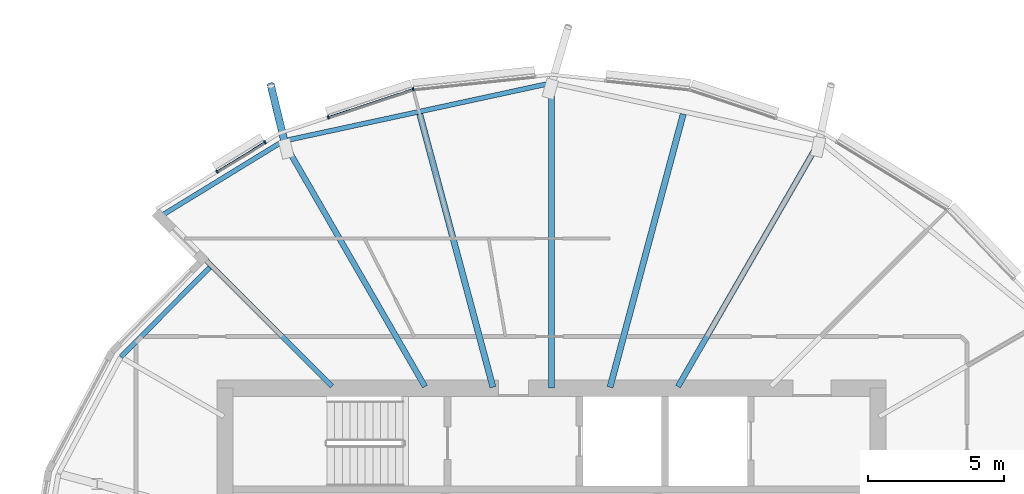
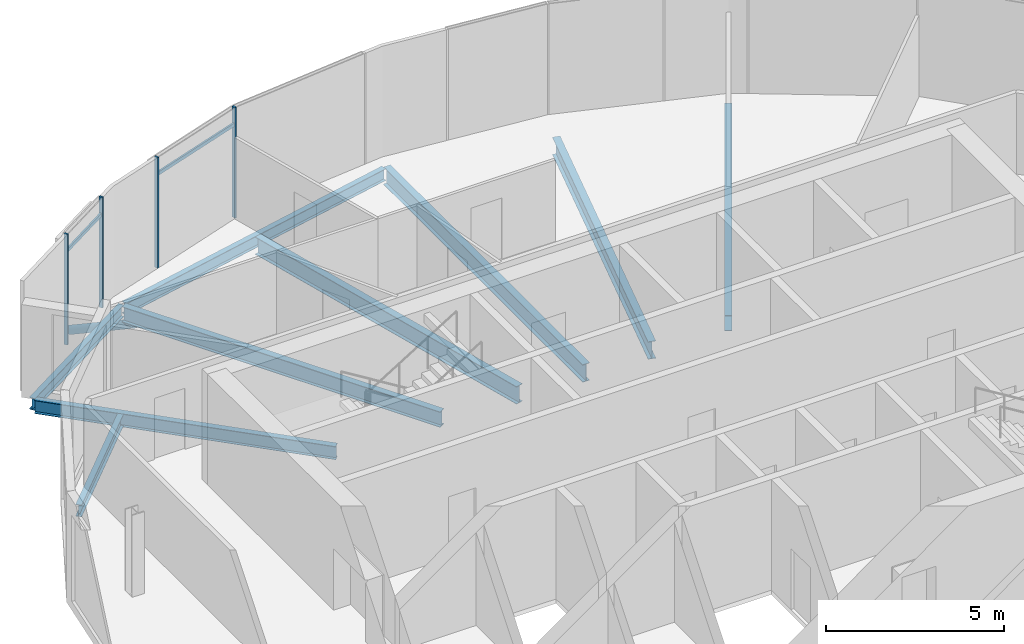
# One storey, part 10 of 38: 9 beams, 7 members, 1 element without a shape of its own.
"""IFC4 building model written with IfcOpenShell, lengths in metres."""

from ifc_helpers import new_model, si_unit, direction, frame, origin, origin_2d, place, context, subcontext, project, spatial, rectangle, hollow_circle, i_section, extrude, clip, halfspace, material, material_profile, profile_set, type_object, element, aggregate, save


model = new_model("IFC4")

# Units and contexts
model_context = context("Model", 3, precision=1e-05, world=origin(), true_north=direction((0.0, 1.0)))
body_context = subcontext(model_context, "Body", "Model", "MODEL_VIEW")
ifc_project = project(units=[si_unit("LENGTHUNIT", "METRE"), si_unit("AREAUNIT", "SQUARE_METRE"), si_unit("VOLUMEUNIT", "CUBIC_METRE"), si_unit("PLANEANGLEUNIT", "RADIAN"), si_unit("MASSUNIT", "GRAM", prefix="KILO")], contexts=[model_context])

# Site, building, storey
site_placement = place(None, origin())
site = spatial("IfcSite", under=ifc_project, at=site_placement, CompositionType="ELEMENT")
building_placement = place(site_placement, origin())
building = spatial("IfcBuilding", under=site, at=building_placement, Name="Rimbun Link Towers", CompositionType="ELEMENT")
storey_placement = place(building_placement, frame((0.0, 0.0, 185.5)))
storey = spatial("IfcBuildingStorey", under=building, at=storey_placement, Name="L45", CompositionType="ELEMENT", Elevation=185.5)

# Curtain wall, members
ifc_material_1 = material(Name="Aluminium 6063-T6 and low-iron glass", Category="aluminium")
curtain_wall_type = type_object("IfcCurtainWallType", Name="CW1-Z3 unitised vision wall (zone 3)", PredefinedType="NOTDEFINED", material=ifc_material_1)
curtain_wall_placement = place(storey_placement, origin())
curtain_wall = element("IfcCurtainWall", 1, at=curtain_wall_placement, inside=storey, type_object=curtain_wall_type, Name="CW1 L45 T1", PredefinedType="NOTDEFINED")
ifc_material_2 = material(Name="Aluminium 6063-T6", Category="aluminium")
ifc_material_profile_1 = material_profile(ifc_material_2, rectangle(XDim=0.1201171875, YDim=0.06005859375, at=origin_2d()), Name="MULLION 60X120")
ifc_profile_set_1 = profile_set([ifc_material_profile_1], Name="Aluminium 6063-T6")
member_type_1 = type_object("IfcMemberType", Name="CW1 mullion 60X120", PredefinedType="MULLION", material=ifc_profile_set_1)
member_1_placement = place(storey_placement, frame((-36.835205078125, 18.989501953125, 0.0), z_axis=(0.0, 0.0, 1.0), x_axis=(-0.210876961602, 0.977512612228, 0.0)))
member_1 = element("IfcMember", 2, at=member_1_placement, type_object=member_type_1, Name="CW1 mullion", PredefinedType="MULLION", context=body_context, shape_type="SweptSolid", body=[
    extrude(rectangle(XDim=0.1201171875, YDim=0.06005859375, at=origin_2d()), origin(), (0.0, 0.0, 1.0), 3.800048828125),
])
member_2_placement = place(storey_placement, frame((-39.954345703125, 17.956298828125, 0.0), z_axis=(0.0, 0.0, 1.0), x_axis=(-0.314564968894, 0.949235945561, 0.0)))
member_2 = element("IfcMember", 3, at=member_2_placement, type_object=member_type_1, Name="CW1 mullion", PredefinedType="MULLION", context=body_context, shape_type="SweptSolid", body=[
    extrude(rectangle(XDim=0.1201171875, YDim=0.06005859375, at=origin_2d()), origin(), (0.0, 0.0, 1.0), 3.800048828125),
])
member_3_placement = place(storey_placement, frame((-44.04296875, 15.95751953125, 0.0), z_axis=(0.0, 0.0, 1.0), x_axis=(-0.523234516531, 0.852188735381, 0.0)))
member_3 = element("IfcMember", 4, at=member_3_placement, type_object=member_type_1, Name="CW1 mullion", PredefinedType="MULLION", context=body_context, shape_type="SweptSolid", body=[
    extrude(rectangle(XDim=0.1201171875, YDim=0.06005859375, at=origin_2d()), origin(), (0.0, 0.0, 1.0), 3.800048828125),
])
member_4_placement = place(storey_placement, frame((-42.28173828125, 17.038818359375, 0.0), z_axis=(0.0, 0.0, 1.0), x_axis=(-0.523234516531, 0.852188735381, 0.0)))
member_4 = element("IfcMember", 5, at=member_4_placement, type_object=member_type_1, Name="CW1 mullion", PredefinedType="MULLION", context=body_context, shape_type="SweptSolid", body=[
    extrude(rectangle(XDim=0.1201171875, YDim=0.06005859375, at=origin_2d()), origin(), (0.0, 0.0, 1.0), 3.800048828125),
])
ifc_material_3 = material(Name="Aluminium 6063-T6", Category="aluminium")
ifc_material_profile_2 = material_profile(ifc_material_3, rectangle(XDim=0.06005859375, YDim=0.1201171875, at=origin_2d()), Name="TRANSOM 60X120")
ifc_profile_set_2 = profile_set([ifc_material_profile_2], Name="Aluminium 6063-T6")
member_type_2 = type_object("IfcMemberType", Name="CW1 transom 60X120", PredefinedType="USERDEFINED", material=ifc_profile_set_2)
member_5_placement = place(storey_placement, frame((-39.92529296875, 17.9638671875, 3.199951171875), z_axis=(0.94924294821, 0.314543836809, 0.0), x_axis=(-0.314543836809, 0.94924294821, 0.0)))
member_5 = element("IfcMember", 6, at=member_5_placement, type_object=member_type_2, Name="CW1 transom", ObjectType="TRANSOM", PredefinedType="USERDEFINED", context=body_context, shape_type="SweptSolid", body=[
    extrude(rectangle(XDim=0.06005859375, YDim=0.1201171875, at=origin_2d()), origin(), (0.0, 0.0, 1.0), 3.219482421875),
])
member_6_placement = place(storey_placement, frame((-44.016357421875, 15.971435546875, 3.199951171875), z_axis=(0.852155044755, 0.523289384279, 0.0), x_axis=(-0.523289384279, 0.852155044755, 0.0)))
member_6 = element("IfcMember", 7, at=member_6_placement, type_object=member_type_2, Name="CW1 transom", ObjectType="TRANSOM", PredefinedType="USERDEFINED", context=body_context, shape_type="SweptSolid", body=[
    extrude(rectangle(XDim=0.06005859375, YDim=0.1201171875, at=origin_2d()), origin(), (0.0, 0.0, 1.0), 2.006591796875),
])
aggregate(curtain_wall, [member_1, member_2, member_3, member_4, member_5, member_6])

# Member
ifc_material_4 = material(Name="Steel S355J2H", Category="steel")
ifc_material_profile_3 = material_profile(ifc_material_4, hollow_circle(Radius=0.136474609375, WallThickness=0.012451171875, at=origin_2d()), Name="CHS 273x12.5")
ifc_profile_set_3 = profile_set([ifc_material_profile_3], Name="Steel S355J2H")
member_type_3 = type_object("IfcMemberType", Name="Floor edge link CHS 273x12.5", PredefinedType="BRACE", material=ifc_profile_set_3)
member_7_placement = place(storey_placement, frame((-41.54150390625, 16.959228515625, -0.80029296875), z_axis=(-0.202029237564, 0.837071370939, -0.508424731031), x_axis=(-0.97208816082, -0.234615872426, 0.0)))
element("IfcMember", 8, at=member_7_placement, inside=storey, type_object=member_type_3, Name="Floor edge link T1 L45 08", PredefinedType="BRACE", context=body_context, shape_type="Clipping", body=[
    clip(extrude(hollow_circle(Radius=0.136474609375, WallThickness=0.012451171875, at=origin_2d()), frame((0.0, 0.0, -0.48193359375)), (0.0, 0.0, 1.0), 3.104248046875), halfspace(frame((0.0, 0.0, -0.2265625), z_axis=(0.0, 0.861106435277, -0.508424731031)), False)),
])

# Beams
ifc_material_5 = material(Name="Steel S355J2", Category="steel")
ifc_material_profile_4 = material_profile(ifc_material_5, i_section(OverallWidth=0.177978515625, OverallDepth=0.406494140625, WebThickness=0.0078125, FlangeThickness=0.0126953125, at=origin_2d()), Name="UB 406x178x60")
ifc_profile_set_4 = profile_set([ifc_material_profile_4], Name="Steel S355J2")
beam_type_1 = type_object("IfcBeamType", Name="UB 406x178x60", PredefinedType="BEAM", material=ifc_profile_set_4)
beam_1_placement = place(storey_placement, frame((-31.86474609375, 19.18896484375, -0.353271484375), z_axis=(-0.977392598687, -0.211432514129, 0.0), x_axis=(0.211432514129, -0.977392598687, 0.0)))
element("IfcBeam", 9, at=beam_1_placement, inside=storey, type_object=beam_type_1, Name="Edge beam T1 L45 06-08", PredefinedType="BEAM", context=body_context, shape_type="SweptSolid", body=[
    extrude(i_section(OverallWidth=0.177978515625, OverallDepth=0.406494140625, WebThickness=0.0078125, FlangeThickness=0.0126953125, at=origin_2d()), origin(), (0.0, 0.0, 1.0), 9.861083984375),
])
beam_2_placement = place(storey_placement, frame((-41.6123046875, 17.080078125, -0.353271484375), z_axis=(-0.852702866932, -0.522396229624, 0.0), x_axis=(0.522396229624, -0.852702866932, 0.0)))
element("IfcBeam", 10, at=beam_2_placement, inside=storey, type_object=beam_type_1, Name="Edge beam T1 L45 08", PredefinedType="BEAM", context=body_context, shape_type="SweptSolid", body=[
    extrude(i_section(OverallWidth=0.177978515625, OverallDepth=0.406494140625, WebThickness=0.0078125, FlangeThickness=0.0126953125, at=origin_2d()), origin(), (0.0, 0.0, 1.0), 5.247802734375),
])
beam_3_placement = place(storey_placement, frame((-44.316650390625, 12.430419921875, -0.353271484375), z_axis=(-0.704407222638, -0.709796072612, 0.0), x_axis=(0.709796072612, -0.704407222638, 0.0)))
element("IfcBeam", 11, at=beam_3_placement, inside=storey, type_object=beam_type_1, Name="Edge beam T1 L45 09 recess", PredefinedType="BEAM", context=body_context, shape_type="SweptSolid", body=[
    extrude(i_section(OverallWidth=0.177978515625, OverallDepth=0.406494140625, WebThickness=0.0078125, FlangeThickness=0.0126953125, at=origin_2d()), origin(), (0.0, 0.0, 1.0), 4.62109375),
])
ifc_material_6 = material(Name="Steel S355J2", Category="steel")
ifc_material_profile_5 = material_profile(ifc_material_6, i_section(OverallWidth=0.18994140625, OverallDepth=0.453369140625, WebThickness=0.008544921875, FlangeThickness=0.0126953125, at=origin_2d()), Name="UB 457x191x67")
ifc_profile_set_5 = profile_set([ifc_material_profile_5], Name="Steel S355J2")
beam_type_2 = type_object("IfcBeamType", Name="UB 457x191x67", PredefinedType="BEAM", material=ifc_profile_set_5)
beam_4_placement = place(storey_placement, frame((-39.81787109375, 8.06787109375, -0.376708984375), z_axis=(-0.707106781187, 0.707106781187, 0.0), x_axis=(-0.707106781187, -0.707106781187, 0.0)))
element("IfcBeam", 12, at=beam_4_placement, inside=storey, type_object=beam_type_2, Name="Radial beam T1 L45 09", PredefinedType="BEAM", context=body_context, shape_type="SweptSolid", body=[
    extrude(i_section(OverallWidth=0.18994140625, OverallDepth=0.453369140625, WebThickness=0.008544921875, FlangeThickness=0.0126953125, at=origin_2d()), origin(), (0.0, 0.0, 1.0), 8.77490234375),
])
ifc_material_7 = material(Name="Steel S355J2", Category="steel")
ifc_material_profile_6 = material_profile(ifc_material_7, i_section(OverallWidth=0.209228515625, OverallDepth=0.533203125, WebThickness=0.010009765625, FlangeThickness=0.015625, at=origin_2d()), Name="UB 533x210x92")
ifc_profile_set_6 = profile_set([ifc_material_profile_6], Name="Steel S355J2")
beam_type_3 = type_object("IfcBeamType", Name="UB 533x210x92", PredefinedType="BEAM", material=ifc_profile_set_6)
beam_5_placement = place(storey_placement, frame((-27.1005859375, 8.05322265625, -0.41650390625), z_axis=(0.499998180979, 0.866026453994, 0.0), x_axis=(-0.866026453994, 0.499998180979, 0.0)))
element("IfcBeam", 13, at=beam_5_placement, inside=storey, type_object=beam_type_3, Name="Radial beam T1 L45 04", PredefinedType="BEAM", context=body_context, shape_type="SweptSolid", body=[
    extrude(i_section(OverallWidth=0.209228515625, OverallDepth=0.533203125, WebThickness=0.010009765625, FlangeThickness=0.015625, at=origin_2d()), origin(), (0.0, 0.0, 1.0), 10.423828125),
])
beam_6_placement = place(storey_placement, frame((-36.3994140625, 8.05322265625, -0.41650390625), z_axis=(-0.500001261266, 0.866024675591, 0.0), x_axis=(-0.866024675591, -0.500001261266, 0.0)))
element("IfcBeam", 14, at=beam_6_placement, inside=storey, type_object=beam_type_3, Name="Radial beam T1 L45 08", PredefinedType="BEAM", context=body_context, shape_type="SweptSolid", body=[
    extrude(i_section(OverallWidth=0.209228515625, OverallDepth=0.533203125, WebThickness=0.010009765625, FlangeThickness=0.015625, at=origin_2d()), origin(), (0.0, 0.0, 1.0), 10.333984375),
])
ifc_material_8 = material(Name="Steel S355J2", Category="steel")
ifc_material_profile_7 = material_profile(ifc_material_8, i_section(OverallWidth=0.2275390625, OverallDepth=0.6025390625, WebThickness=0.010498046875, FlangeThickness=0.014892578125, at=origin_2d()), Name="UB 610x229x101")
ifc_profile_set_7 = profile_set([ifc_material_profile_7], Name="Steel S355J2")
beam_type_4 = type_object("IfcBeamType", Name="UB 610x229x101", PredefinedType="BEAM", material=ifc_profile_set_7)
beam_7_placement = place(storey_placement, frame((-29.598388671875, 8.030517578125, -0.451416015625), z_axis=(0.258837406585, 0.965920906158, 0.0), x_axis=(-0.965920906158, 0.258837406585, 0.0)))
element("IfcBeam", 15, at=beam_7_placement, inside=storey, type_object=beam_type_4, Name="Radial beam T1 L45 05", PredefinedType="BEAM", context=body_context, shape_type="SweptSolid", body=[
    extrude(i_section(OverallWidth=0.2275390625, OverallDepth=0.6025390625, WebThickness=0.010498046875, FlangeThickness=0.014892578125, at=origin_2d()), origin(), (0.0, 0.0, 1.0), 10.39794921875),
])
beam_8_placement = place(storey_placement, frame((-31.75, 8.0009765625, -0.451416015625), z_axis=(0.0, 1.0, 0.0), x_axis=(-1.0, 0.0, 0.0)))
element("IfcBeam", 16, at=beam_8_placement, inside=storey, type_object=beam_type_4, Name="Radial beam T1 L45 06", PredefinedType="BEAM", context=body_context, shape_type="SweptSolid", body=[
    extrude(i_section(OverallWidth=0.2275390625, OverallDepth=0.6025390625, WebThickness=0.010498046875, FlangeThickness=0.014892578125, at=origin_2d()), origin(), (0.0, 0.0, 1.0), 11.212890625),
])
beam_9_placement = place(storey_placement, frame((-33.901611328125, 8.030517578125, -0.451416015625), z_axis=(-0.258837406585, 0.965920906158, 0.0), x_axis=(-0.965920906158, -0.258837406585, 0.0)))
element("IfcBeam", 17, at=beam_9_placement, inside=storey, type_object=beam_type_4, Name="Radial beam T1 L45 07", PredefinedType="BEAM", context=body_context, shape_type="SweptSolid", body=[
    extrude(i_section(OverallWidth=0.2275390625, OverallDepth=0.6025390625, WebThickness=0.010498046875, FlangeThickness=0.014892578125, at=origin_2d()), origin(), (0.0, 0.0, 1.0), 10.39794921875),
])

save(model, "model.ifc")
